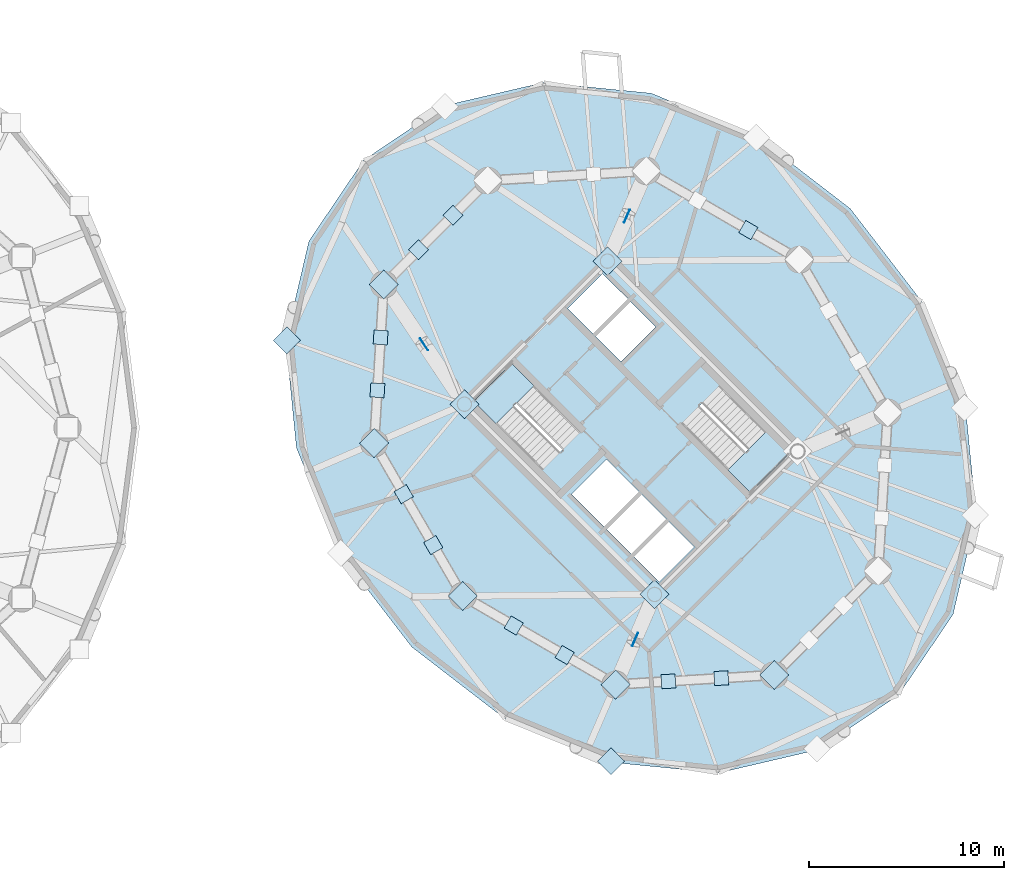
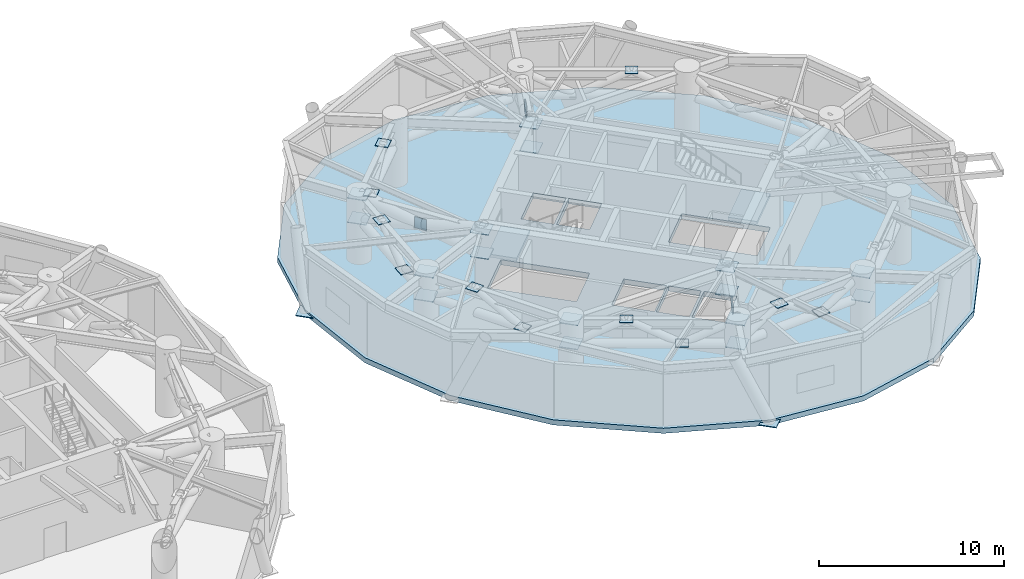
# One storey, part 7 of 16: 32 plates, 3 slabs, 2 elements without a shape of their own.
"""IFC4 building model written with IfcOpenShell, lengths in metres."""

from ifc_helpers import new_model, si_unit, direction, frame, origin, origin_2d, place, context, subcontext, project, spatial, polyline, rectangle, outline, extrude, source, transform, mapped, material, layer, layer_set, type_object, element, aggregate, save


model = new_model("IFC4")

# Units and contexts
model_context = context("Model", 3, precision=1e-05, world=origin(), true_north=direction((0.0, 1.0)))
body_context = subcontext(model_context, "Body", "Model", "MODEL_VIEW")
ifc_project = project(units=[si_unit("LENGTHUNIT", "METRE"), si_unit("AREAUNIT", "SQUARE_METRE"), si_unit("VOLUMEUNIT", "CUBIC_METRE"), si_unit("PLANEANGLEUNIT", "RADIAN"), si_unit("MASSUNIT", "GRAM", prefix="KILO")], contexts=[model_context])

# Site, building, storey
site_placement = place(None, origin())
site = spatial("IfcSite", under=ifc_project, at=site_placement, CompositionType="ELEMENT")
building_placement = place(site_placement, origin())
building = spatial("IfcBuilding", under=site, at=building_placement, Name="Cununo Teusaquillo Station Towers", CompositionType="ELEMENT")
storey_placement = place(building_placement, frame((0.0, 0.0, 65.64990234375)))
storey = spatial("IfcBuildingStorey", under=building, at=storey_placement, Name="L20", CompositionType="ELEMENT", Elevation=65.64990234375)

# Slab
ifc_material_1 = material(Name="Concrete C50/60", Category="concrete")
ifc_layer_1 = layer(ifc_material_1, 0.340087890625)
ifc_layer_set_1 = layer_set([ifc_layer_1], Name="Concrete C50/60")
slab_type_1 = type_object("IfcSlabType", Name="SLB-B01-340", PredefinedType="FLOOR", material=ifc_layer_set_1)
slab_1_placement = place(storey_placement, frame((0.0, 0.0, -0.33984375)))
element("IfcSlab", 1, at=slab_1_placement, inside=storey, type_object=slab_type_1, Name="L20 Tower B Floor Slab", PredefinedType="FLOOR", context=body_context, shape_type="SweptSolid", body=[
    extrude(outline(polyline([(68.71533203125, 35.71533203125), (63.938232421875, 39.39453125), (58.531005859375, 41.61572265625), (53.02294921875, 42.16162109375), (47.952880859375, 40.978515625), (43.8173828125, 38.1826171875), (41.021484375, 34.047119140625), (39.83837890625, 28.97705078125), (40.38427734375, 23.468994140625), (42.60546875, 18.061767578125), (46.28466796875, 13.28466796875), (51.061767578125, 9.60546875), (56.468994140625, 7.38427734375), (61.97705078125, 6.83837890625), (67.047119140625, 8.021484375), (71.1826171875, 10.8173828125), (73.978515625, 14.952880859375), (75.16162109375, 20.02294921875), (74.61572265625, 25.531005859375), (72.39453125, 30.938232421875), (68.71533203125, 35.71533203125)]), holes=[polyline([(54.914794921875, 24.28515625), (51.390625, 27.809326171875), (49.43896484375, 25.857666015625), (52.963134765625, 22.33349609375), (54.914794921875, 24.28515625)]), polyline([(60.085205078125, 24.71484375), (63.609375, 21.190673828125), (65.56103515625, 23.142333984375), (62.036865234375, 26.66650390625), (60.085205078125, 24.71484375)]), polyline([(56.156494140625, 19.40869140625), (57.945556640625, 21.19775390625), (56.248291015625, 22.89501953125), (54.45947265625, 21.10595703125), (56.156494140625, 19.40869140625)]), polyline([(58.94970703125, 16.61572265625), (60.738525390625, 18.40478515625), (59.430419921875, 19.712890625), (57.641357421875, 17.923828125), (58.94970703125, 16.61572265625)]), polyline([(57.535400390625, 18.030029296875), (59.32421875, 19.819091796875), (58.01611328125, 21.127197265625), (56.227294921875, 19.338134765625), (57.535400390625, 18.030029296875)]), polyline([(56.98388671875, 27.872802734375), (58.772705078125, 29.661865234375), (57.464599609375, 30.969970703125), (55.67578125, 29.180908203125), (56.98388671875, 27.872802734375)]), polyline([(55.569580078125, 29.287109375), (57.358642578125, 31.076171875), (56.05029296875, 32.38427734375), (54.261474609375, 30.59521484375), (55.569580078125, 29.287109375)])]), origin(), (0.0, 0.0, 1.0), 0.33984375),
])

# Stair, slab
ifc_material_2 = material(Name="Concrete C50/60", Category="concrete")
stair_type = type_object("IfcStairType", Name="ST-TWR-1300", PredefinedType="HALF_TURN_STAIR", material=ifc_material_2)
stair_1_placement = place(storey_placement, origin())
stair_1 = element("IfcStair", 2, at=stair_1_placement, inside=storey, type_object=stair_type, Name="L20 Tower B Protected Core Exit Stair 1", PredefinedType="HALF_TURN_STAIR")
ifc_material_3 = material(Name="Concrete C50/60", Category="concrete")
ifc_layer_2 = layer(ifc_material_3, 0.199951171875)
ifc_layer_set_2 = layer_set([ifc_layer_2], Name="Concrete C50/60")
slab_type_2 = type_object("IfcSlabType", Name="SLB-STAIR-LND", PredefinedType="LANDING", material=ifc_layer_set_2)
slab_2_placement = place(storey_placement, frame((0.0, 0.0, 2.050048828125)))
slab_2 = element("IfcSlab", 3, at=slab_2_placement, type_object=slab_type_2, Name="ST-T2-1 landing 1", PredefinedType="LANDING", context=body_context, shape_type="SweptSolid", body=[
    extrude(outline(polyline([(52.543212890625, 26.65673828125), (51.390625, 27.809326171875), (49.43896484375, 25.857666015625), (50.591552734375, 24.705078125), (52.543212890625, 26.65673828125)])), origin(), (0.0, 0.0, 1.0), 0.199951171875),
])
aggregate(stair_1, [slab_2])

stair_2_placement = place(storey_placement, origin())
stair_2 = element("IfcStair", 4, at=stair_2_placement, inside=storey, type_object=stair_type, Name="L20 Tower B Protected Core Exit Stair 2", PredefinedType="HALF_TURN_STAIR")
slab_3_placement = place(storey_placement, frame((0.0, 0.0, 2.050048828125)))
slab_3 = element("IfcSlab", 5, at=slab_3_placement, type_object=slab_type_2, Name="ST-T2-2 landing 1", PredefinedType="LANDING", context=body_context, shape_type="SweptSolid", body=[
    extrude(outline(polyline([(62.456787109375, 22.34326171875), (63.609375, 21.190673828125), (65.56103515625, 23.142333984375), (64.408447265625, 24.294921875), (62.456787109375, 22.34326171875)])), origin(), (0.0, 0.0, 1.0), 0.199951171875),
])
aggregate(stair_2, [slab_3])

# Plates
ifc_material_4 = material(Name="Steel ASTM A572 Grade 50", Category="steel")
ifc_layer_3 = layer(ifc_material_4, 0.054931640625)
ifc_layer_set_3 = layer_set([ifc_layer_3], Name="Steel ASTM A572 Grade 50")
plate_type_1 = type_object("IfcPlateType", Name="PLT-NODE-KDN1", PredefinedType="USERDEFINED", material=ifc_layer_set_3)
shared_shape_1 = source(origin(), body_context, "Body", "SweptSolid", [
    extrude(rectangle(XDim=0.97998046875, YDim=0.97998046875, at=origin_2d()), origin(), (0.0, 0.0, 1.0), 0.054931640625),
])
for number, where, z_axis, x_axis, name in (
    (6, (39.897705078125, 28.9677734375, -0.16748046875), (0.0, 0.0, 1.0), (0.707106781187, 0.707106781187, 0.0), "L20 Tower B Diagrid Node Assembly C06"),
    (7, (56.478271484375, 7.443359375, -0.16748046875), (0.0, 0.0, 1.0), (0.707106781187, 0.707106781187, 0.0), "L20 Tower B Diagrid Node Assembly C11"),
):
    element("IfcPlate", number, at=place(storey_placement, frame(where, z_axis=z_axis, x_axis=x_axis)), inside=storey, type_object=plate_type_1, Name=name, ObjectType="GUSSET PLATE", PredefinedType="USERDEFINED", context=body_context, shape_type="MappedRepresentation", body=[
        mapped(shared_shape_1, transform((0.0, 0.0, 0.0), x_axis=(1.0, 0.0, 0.0), y_axis=(0.0, 1.0, 0.0), z_axis=(0.0, 0.0, 1.0), scale=1.0)),
    ])
ifc_material_5 = material(Name="Steel ASTM A572 Grade 50", Category="steel")
ifc_layer_4 = layer(ifc_material_5, 0.030029296875)
ifc_layer_set_4 = layer_set([ifc_layer_4], Name="Steel ASTM A572 Grade 50")
plate_type_2 = type_object("IfcPlateType", Name="PLT-NODE-XBR", PredefinedType="USERDEFINED", material=ifc_layer_set_4)
shared_shape_2 = source(origin(), body_context, "Body", "SweptSolid", [
    extrude(rectangle(XDim=0.719970703125, YDim=0.030029296875, at=origin_2d()), origin(), (0.0, 0.0, 1.0), 0.719970703125),
])
for number, where, z_axis, x_axis, name in (
    (8, (46.914794921875, 28.76611328125, 3.02001953125), (0.0, 0.0, 1.0), (-0.558613989835, 0.829427760785, 0.0), "L20 Tower B Outrigger X-Crossing Gusset XBP1 1"),
    (9, (57.292724609375, 35.32958984375, 3.02001953125), (0.0, 0.0, 1.0), (0.397308062984, 0.917685296323, 0.0), "L20 Tower B Outrigger X-Crossing Gusset XBP1 2"),
    (10, (57.707275390625, 13.67041015625, 3.02001953125), (0.0, 0.0, 1.0), (-0.397308062984, -0.917685296323, 0.0), "L20 Tower B Outrigger X-Crossing Gusset XBP1 3"),
):
    element("IfcPlate", number, at=place(storey_placement, frame(where, z_axis=z_axis, x_axis=x_axis)), inside=storey, type_object=plate_type_2, Name=name, ObjectType="GUSSET PLATE", PredefinedType="USERDEFINED", context=body_context, shape_type="MappedRepresentation", body=[
        mapped(shared_shape_2, transform((0.0, 0.0, 0.0), x_axis=(1.0, 0.0, 0.0), y_axis=(0.0, 1.0, 0.0), z_axis=(0.0, 0.0, 1.0), scale=1.0)),
    ])
ifc_material_6 = material(Name="Steel ASTM A572 Grade 50", Category="steel")
ifc_layer_5 = layer(ifc_material_6, 0.054931640625)
ifc_layer_set_5 = layer_set([ifc_layer_5], Name="Steel ASTM A572 Grade 50")
plate_type_3 = type_object("IfcPlateType", Name="PLT-NODE-OTN1", PredefinedType="USERDEFINED", material=ifc_layer_set_5)
shared_shape_3 = source(origin(), body_context, "Body", "SweptSolid", [
    extrude(rectangle(XDim=1.050048828125, YDim=1.050048828125, at=origin_2d()), origin(), (0.0, 0.0, 1.0), 0.054931640625),
])
for number, where, z_axis, x_axis, name in (
    (11, (48.975830078125, 25.70556640625, 2.552734375), (0.0, 0.0, 1.0), (0.707106781187, 0.707106781187, 0.0), "L20 Tower B Outrigger Core Gusset OTN1 1.CB"),
    (12, (48.975830078125, 25.70556640625, 4.15283203125), (0.0, 0.0, 1.0), (0.707106781187, 0.707106781187, 0.0), "L20 Tower B Outrigger Core Gusset OTN1 1.CT"),
    (13, (56.29443359375, 33.024169921875, 2.552734375), (0.0, 0.0, 1.0), (0.707106781187, 0.707106781187, 0.0), "L20 Tower B Outrigger Core Gusset OTN1 2.CB"),
    (14, (56.29443359375, 33.024169921875, 4.15283203125), (0.0, 0.0, 1.0), (0.707106781187, 0.707106781187, 0.0), "L20 Tower B Outrigger Core Gusset OTN1 2.CT"),
    (15, (58.70556640625, 15.975830078125, 2.552734375), (0.0, 0.0, 1.0), (0.707106781187, 0.707106781187, 0.0), "L20 Tower B Outrigger Core Gusset OTN1 3.CB"),
    (16, (58.70556640625, 15.975830078125, 4.15283203125), (0.0, 0.0, 1.0), (0.707106781187, 0.707106781187, 0.0), "L20 Tower B Outrigger Core Gusset OTN1 3.CT"),
    (17, (44.853759765625, 31.826904296875, 2.552734375), (0.0, 0.0, 1.0), (0.707106781187, 0.707106781187, 0.0), "L20 Tower B Belt Truss Column Gusset 04B"),
    (18, (44.853759765625, 31.826904296875, 4.15283203125), (0.0, 0.0, 1.0), (0.707106781187, 0.707106781187, 0.0), "L20 Tower B Belt Truss Column Gusset 04T"),
    (19, (44.36474609375, 23.708984375, 2.552734375), (0.0, 0.0, 1.0), (0.707106781187, 0.707106781187, 0.0), "L20 Tower B Belt Truss Column Gusset 05B"),
    (20, (44.36474609375, 23.708984375, 4.15283203125), (0.0, 0.0, 1.0), (0.707106781187, 0.707106781187, 0.0), "L20 Tower B Belt Truss Column Gusset 05T"),
    (21, (48.89306640625, 15.89306640625, 2.552734375), (0.0, 0.0, 1.0), (0.707106781187, 0.707106781187, 0.0), "L20 Tower B Belt Truss Column Gusset 06B"),
    (22, (48.89306640625, 15.89306640625, 4.15283203125), (0.0, 0.0, 1.0), (0.707106781187, 0.707106781187, 0.0), "L20 Tower B Belt Truss Column Gusset 06T"),
    (23, (56.708984375, 11.36474609375, 2.552734375), (0.0, 0.0, 1.0), (0.707106781187, 0.707106781187, 0.0), "L20 Tower B Belt Truss Column Gusset 07B"),
    (24, (56.708984375, 11.36474609375, 4.15283203125), (0.0, 0.0, 1.0), (0.707106781187, 0.707106781187, 0.0), "L20 Tower B Belt Truss Column Gusset 07T"),
    (25, (64.826904296875, 11.853759765625, 2.552734375), (0.0, 0.0, 1.0), (0.707106781187, 0.707106781187, 0.0), "L20 Tower B Belt Truss Column Gusset 08B"),
    (26, (64.826904296875, 11.853759765625, 4.15283203125), (0.0, 0.0, 1.0), (0.707106781187, 0.707106781187, 0.0), "L20 Tower B Belt Truss Column Gusset 08T"),
):
    element("IfcPlate", number, at=place(storey_placement, frame(where, z_axis=z_axis, x_axis=x_axis)), inside=storey, type_object=plate_type_3, Name=name, ObjectType="GUSSET PLATE", PredefinedType="USERDEFINED", context=body_context, shape_type="MappedRepresentation", body=[
        mapped(shared_shape_3, transform((0.0, 0.0, 0.0), x_axis=(1.0, 0.0, 0.0), y_axis=(0.0, 1.0, 0.0), z_axis=(0.0, 0.0, 1.0), scale=1.0)),
    ])
shared_shape_4 = source(origin(), body_context, "Body", "SweptSolid", [
    extrude(rectangle(XDim=0.719970703125, YDim=0.719970703125, at=origin_2d()), origin(), (0.0, 0.0, 1.0), 0.030029296875),
])
for number, where, z_axis, x_axis, name in (
    (27, (63.501708984375, 34.616455078125, 4.1650390625), (0.0, 0.0, 1.0), (-0.865238937528, 0.501359732114, 0.0), "L20 Tower B Belt Web Node Gusset XBP1 01T1"),
    (28, (48.39990234375, 35.373291015625, 4.1650390625), (0.0, 0.0, 1.0), (-0.707106781187, -0.707106781187, 0.0), "L20 Tower B Belt Web Node Gusset XBP1 03T1"),
    (29, (46.626708984375, 33.60009765625, 2.56494140625), (0.0, 0.0, 1.0), (-0.707106781187, -0.707106781187, 0.0), "L20 Tower B Belt Web Node Gusset XBP1 03B2"),
    (30, (44.690673828125, 29.120849609375, 4.1650390625), (0.0, 0.0, 1.0), (-0.060177479469, -0.998187693254, 0.0), "L20 Tower B Belt Web Node Gusset XBP1 04T1"),
    (31, (44.52783203125, 26.414794921875, 2.56494140625), (0.0, 0.0, 1.0), (-0.060177479469, -0.998187693254, 0.0), "L20 Tower B Belt Web Node Gusset XBP1 04B2"),
    (32, (45.874267578125, 21.103515625, 4.1650390625), (0.0, 0.0, 1.0), (0.501359732114, -0.865238937528, 0.0), "L20 Tower B Belt Web Node Gusset XBP1 05T1"),
    (33, (47.383544921875, 18.498291015625, 2.56494140625), (0.0, 0.0, 1.0), (0.501359732114, -0.865238937528, 0.0), "L20 Tower B Belt Web Node Gusset XBP1 05B2"),
    (34, (51.498291015625, 14.383544921875, 4.1650390625), (0.0, 0.0, 1.0), (0.865238937528, -0.501359732114, 0.0), "L20 Tower B Belt Web Node Gusset XBP1 06T1"),
    (35, (54.103515625, 12.874267578125, 2.56494140625), (0.0, 0.0, 1.0), (0.865238937528, -0.501359732114, 0.0), "L20 Tower B Belt Web Node Gusset XBP1 06B2"),
    (36, (59.414794921875, 11.52783203125, 4.1650390625), (0.0, 0.0, 1.0), (0.998187693254, 0.060177479469, 0.0), "L20 Tower B Belt Web Node Gusset XBP1 07T1"),
    (37, (62.120849609375, 11.690673828125, 2.56494140625), (0.0, 0.0, 1.0), (0.998187693254, 0.060177479469, 0.0), "L20 Tower B Belt Web Node Gusset XBP1 07B2"),
):
    element("IfcPlate", number, at=place(storey_placement, frame(where, z_axis=z_axis, x_axis=x_axis)), inside=storey, type_object=plate_type_2, Name=name, ObjectType="GUSSET PLATE", PredefinedType="USERDEFINED", context=body_context, shape_type="MappedRepresentation", body=[
        mapped(shared_shape_4, transform((0.0, 0.0, 0.0), x_axis=(1.0, 0.0, 0.0), y_axis=(0.0, 1.0, 0.0), z_axis=(0.0, 0.0, 1.0), scale=1.0)),
    ])

save(model, "model.ifc")
